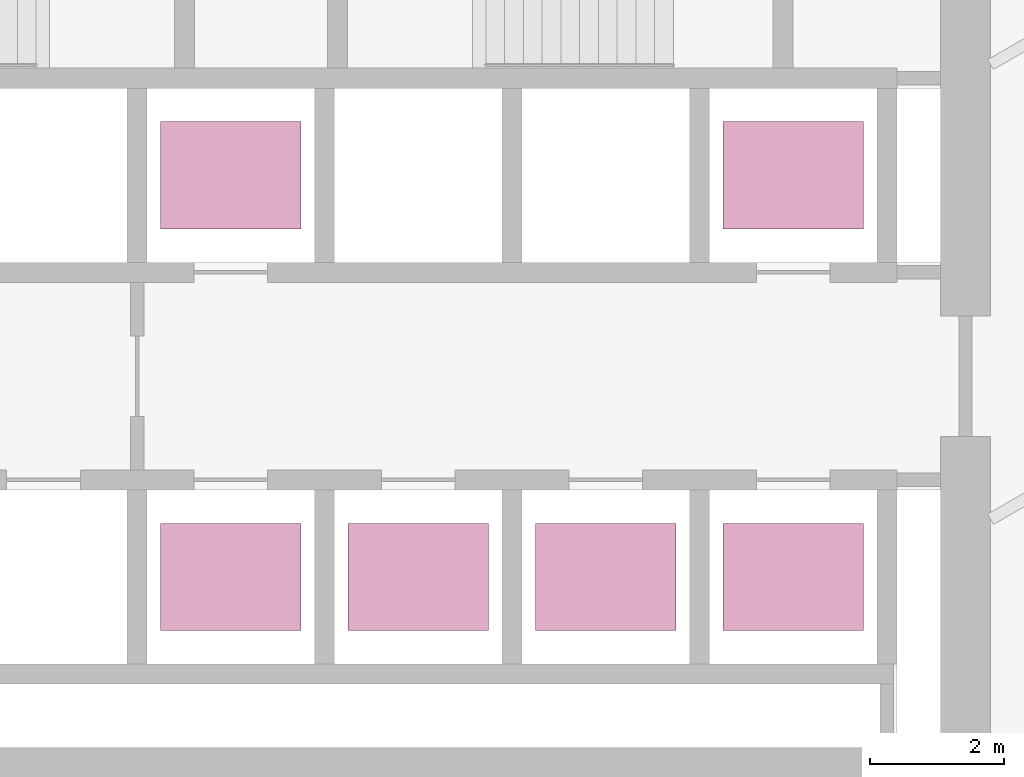
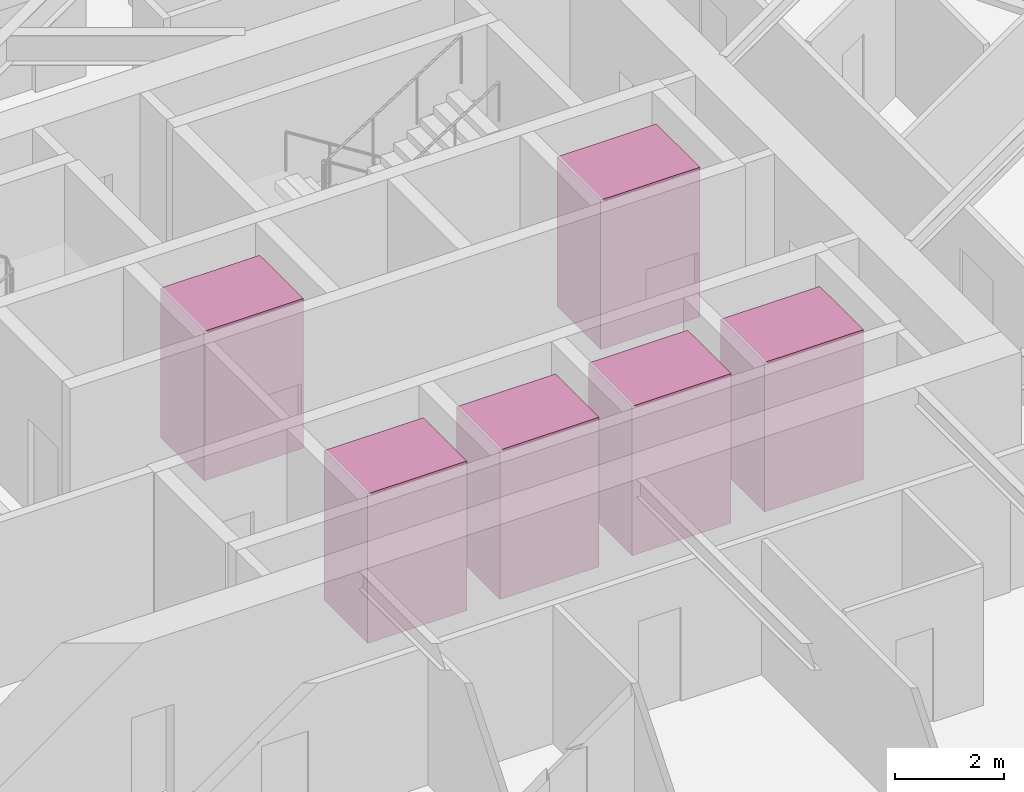
# One storey, part 19 of 19: 6 transport elements.
"""IFC4 building model written with IfcOpenShell, lengths in metres."""

from ifc_helpers import new_model, si_unit, direction, frame, origin, origin_2d, place, context, subcontext, project, spatial, rectangle, extrude, material, type_object, element, save


model = new_model("IFC4")

# Units and contexts
model_context = context("Model", 3, precision=1e-05, world=origin(), true_north=direction((0.0, 1.0)))
body_context = subcontext(model_context, "Body", "Model", "MODEL_VIEW")
ifc_project = project(units=[si_unit("LENGTHUNIT", "METRE"), si_unit("AREAUNIT", "SQUARE_METRE"), si_unit("VOLUMEUNIT", "CUBIC_METRE"), si_unit("PLANEANGLEUNIT", "RADIAN"), si_unit("MASSUNIT", "GRAM", prefix="KILO")], contexts=[model_context])

# Site, building, storey
site_placement = place(None, origin())
site = spatial("IfcSite", under=ifc_project, at=site_placement, CompositionType="ELEMENT")
building_placement = place(site_placement, origin())
building = spatial("IfcBuilding", under=site, at=building_placement, Name="Firuza Gate Tower and Library", CompositionType="ELEMENT")
storey_placement = place(building_placement, frame((0.0, 0.0, 179.199951171875)))
storey = spatial("IfcBuildingStorey", under=building, at=storey_placement, Name="L41", CompositionType="ELEMENT", Elevation=179.199951171875)

# Transport elements
ifc_material = material(Name="Stainless steel and glass", Category="steel")
transport_element_type = type_object("IfcTransportElementType", Name="Mid-rise lift car 2100x1600", PredefinedType="ELEVATOR", material=ifc_material)
for number, where, z_axis, x_axis, name in (
    (1, (74.64990234375, 70.300048828125, 0.0), (0.0, 0.0, 1.0), (1.0, 0.0, 0.0), "Mid-rise lift MR1"),
    (2, (77.449951171875, 70.300048828125, 0.0), (0.0, 0.0, 1.0), (1.0, 0.0, 0.0), "Mid-rise lift MR2"),
    (3, (80.25, 70.300048828125, 0.0), (0.0, 0.0, 1.0), (1.0, 0.0, 0.0), "Mid-rise lift MR3"),
    (4, (74.64990234375, 76.300048828125, 0.0), (0.0, 0.0, 1.0), (1.0, 0.0, 0.0), "Mid-rise lift MR4"),
    (5, (83.050048828125, 70.300048828125, 0.0), (0.0, 0.0, 1.0), (1.0, 0.0, 0.0), "Mid-rise lift MR5"),
    (6, (83.050048828125, 76.300048828125, 0.0), (0.0, 0.0, 1.0), (1.0, 0.0, 0.0), "Mid-rise lift MR6"),
):
    element("IfcTransportElement", number, at=place(storey_placement, frame(where, z_axis=z_axis, x_axis=x_axis)), inside=storey, type_object=transport_element_type, Name=name, PredefinedType="ELEVATOR", context=body_context, shape_type="SweptSolid", body=[
        extrude(rectangle(XDim=2.10009765625, YDim=1.60009765625, at=origin_2d()), origin(), (0.0, 0.0, 1.0), 3.35009765625),
    ])

save(model, "model.ifc")
